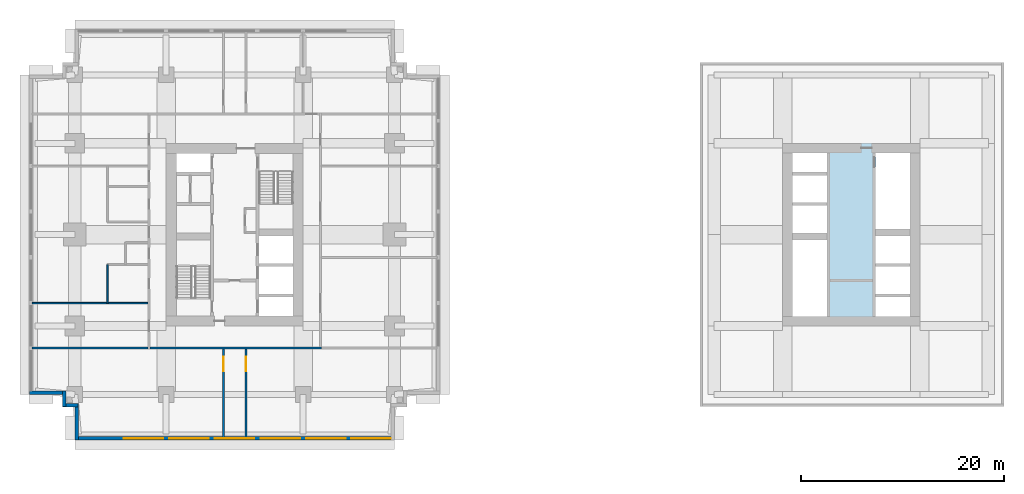
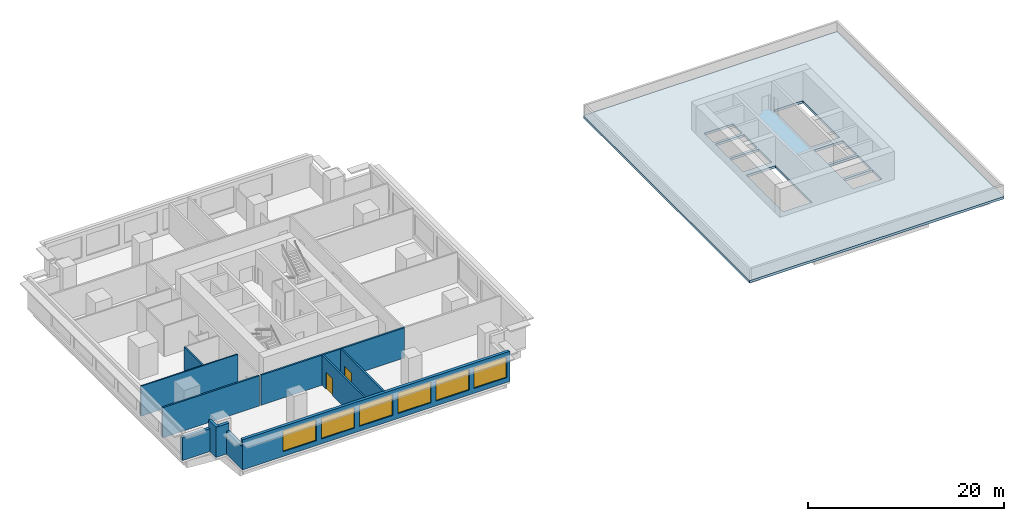
# One storey, part 2 of 7: 11 walls, 6 windows, 2 doors, 1 slab, 8 openings.
"""IFC4 building model written with IfcOpenShell, lengths in metres."""

from ifc_helpers import new_model, si_unit, direction, frame, frame_2d, origin, place, context, subcontext, project, spatial, polyline, rectangle, outline, extrude, material, layer, layer_set, type_object, element, fill, save


model = new_model("IFC4")

# Units and contexts
model_context = context("Model", 3, precision=1e-05, world=origin(), true_north=direction((0.0, 1.0)))
body_context = subcontext(model_context, "Body", "Model", "MODEL_VIEW")
ifc_project = project(units=[si_unit("LENGTHUNIT", "METRE"), si_unit("AREAUNIT", "SQUARE_METRE"), si_unit("VOLUMEUNIT", "CUBIC_METRE"), si_unit("PLANEANGLEUNIT", "RADIAN"), si_unit("MASSUNIT", "GRAM", prefix="KILO")], contexts=[model_context])

# Site, building, storey
site_placement = place(None, origin())
site = spatial("IfcSite", under=ifc_project, at=site_placement, CompositionType="ELEMENT")
building_placement = place(site_placement, origin())
building = spatial("IfcBuilding", under=site, at=building_placement, Name="Namib Vertical Campus", CompositionType="ELEMENT")
storey_placement = place(building_placement, frame((0.0, 0.0, 237.0)))
storey = spatial("IfcBuildingStorey", under=building, at=storey_placement, Name="L56", CompositionType="ELEMENT", Elevation=237.0)

# Slab
ifc_material_1 = material(Name="Concrete C40/50", Category="concrete")
ifc_layer_1 = layer(ifc_material_1, 0.300048828125)
ifc_layer_set_1 = layer_set([ifc_layer_1], Name="Concrete C40/50")
slab_type = type_object("IfcSlabType", Name="Roof slab 300", PredefinedType="ROOF", material=ifc_layer_set_1)
slab_placement = place(storey_placement, frame((0.0, 0.0, -0.300048828125)))
element("IfcSlab", 1, at=slab_placement, inside=storey, type_object=slab_type, Name="Roof slab B (maintenance access only)", PredefinedType="ROOF", context=body_context, shape_type="SweptSolid", body=[
    extrude(outline(polyline([(66.10009765625, 3.300048828125), (96.050048828125, 3.300048828125), (96.050048828125, 37.199951171875), (66.10009765625, 37.199951171875), (66.10009765625, 3.300048828125)]), holes=[polyline([(75.199951171875, 12.199951171875), (78.60009765625, 12.199951171875), (78.60009765625, 19.699951171875), (75.199951171875, 19.699951171875), (75.199951171875, 12.199951171875)]), polyline([(83.39990234375, 20.800048828125), (86.800048828125, 20.800048828125), (86.800048828125, 28.300048828125), (83.39990234375, 28.300048828125), (83.39990234375, 20.800048828125)]), polyline([(83.39990234375, 12.199951171875), (86.800048828125, 12.199951171875), (86.800048828125, 14.10009765625), (83.39990234375, 14.10009765625), (83.39990234375, 12.199951171875)]), polyline([(75.199951171875, 20.39990234375), (78.60009765625, 20.39990234375), (78.60009765625, 23.10009765625), (75.199951171875, 23.10009765625), (75.199951171875, 20.39990234375)]), polyline([(75.199951171875, 23.39990234375), (78.60009765625, 23.39990234375), (78.60009765625, 26.10009765625), (75.199951171875, 26.10009765625), (75.199951171875, 23.39990234375)]), polyline([(75.199951171875, 26.39990234375), (78.60009765625, 26.39990234375), (78.60009765625, 28.300048828125), (75.199951171875, 28.300048828125), (75.199951171875, 26.39990234375)]), polyline([(83.39990234375, 14.39990234375), (86.800048828125, 14.39990234375), (86.800048828125, 17.10009765625), (83.39990234375, 17.10009765625), (83.39990234375, 14.39990234375)]), polyline([(83.39990234375, 17.39990234375), (86.800048828125, 17.39990234375), (86.800048828125, 20.10009765625), (83.39990234375, 20.10009765625), (83.39990234375, 17.39990234375)])]), origin(), (0.0, 0.0, 1.0), 0.300048828125),
])

# Wall
ifc_material_2 = material(Name="Concrete masonry", Category="masonry")
ifc_layer_2 = layer(ifc_material_2, 0.199951171875)
ifc_layer_set_2 = layer_set([ifc_layer_2], Name="Corridor wall 200")
wall_type_1 = type_object("IfcWallType", Name="Corridor wall 200", PredefinedType="SOLIDWALL", material=ifc_layer_set_2)
wall_1_placement = place(storey_placement, frame((11.89990234375, 9.10009765625, 0.0), z_axis=(0.0, 0.0, 1.0), x_axis=(1.0, 0.0, 0.0)))
element("IfcWall", 2, at=wall_1_placement, inside=storey, type_object=wall_type_1, Name="Corridor wall A L56 CS", PredefinedType="SOLIDWALL", context=body_context, shape_type="SweptSolid", body=[
    extrude(rectangle(XDim=16.900146484375, YDim=0.199951171875, at=frame_2d((8.4501953125, 0.0))), origin(), (0.0, 0.0, 1.0), 3.75),
])

# Wall, opening, door
wall_2_placement = place(storey_placement, frame((19.14990234375, 0.300048828125, 0.0), z_axis=(0.0, 0.0, 1.0), x_axis=(0.0, 1.0, 0.0)))
wall_2 = element("IfcWall", 3, at=wall_2_placement, inside=storey, type_object=wall_type_1, Name="Corridor wall A L56 SPS1", PredefinedType="SOLIDWALL", context=body_context, shape_type="SweptSolid", body=[
    extrude(rectangle(XDim=8.699951171875, YDim=0.199951171875, at=frame_2d((4.35009765625, 0.0))), origin(), (0.0, 0.0, 1.0), 3.75),
])
opening_1_placement = place(wall_2_placement, frame((6.5, 0.0, 0.0)))
opening_1 = element("IfcOpeningElement", 4, at=opening_1_placement, cuts=wall_2, Name="Opening LB1", PredefinedType="OPENING", context=body_context, shape_type="SweptSolid", body=[
    extrude(rectangle(XDim=1.39990234375, YDim=2.10009765625, at=frame_2d((0.699951171875, 1.050048828125))), frame((0.0, 0.10986328125, 0.0), z_axis=(0.0, -1.0, 0.0), x_axis=(1.0, 0.0, 0.0)), (0.0, 0.0, 1.0), 0.219970703125),
])
ifc_material_3 = material(Name="Timber fire door leaf", Category="wood")
door_type = type_object("IfcDoorType", Name="Laboratory door 1400x2100 leaf and a half", OperationType="DOUBLE_DOOR_SINGLE_SWING", PredefinedType="DOOR", material=ifc_material_3)
door_1_placement = place(opening_1_placement, origin())
door_1 = element("IfcDoor", 5, at=door_1_placement, inside=storey, type_object=door_type, Name="Door LB1 A56-01", OperationType="DOUBLE_DOOR_SINGLE_SWING", OverallHeight=2.10009765625, OverallWidth=1.39990234375, PredefinedType="DOOR", context=body_context, shape_type="SweptSolid", body=[
    extrude(rectangle(XDim=1.39990234375, YDim=2.10009765625, at=frame_2d((0.699951171875, 1.050048828125))), frame((0.0, 0.02490234375, 0.0), z_axis=(0.0, -1.0, 0.0), x_axis=(1.0, 0.0, 0.0)), (0.0, 0.0, 1.0), 0.050048828125),
])
fill(opening_1, door_1)

wall_3_placement = place(storey_placement, frame((21.35009765625, 9.0, 0.0), z_axis=(0.0, 0.0, 1.0), x_axis=(0.0, -1.0, 0.0)))
wall_3 = element("IfcWall", 6, at=wall_3_placement, inside=storey, type_object=wall_type_1, Name="Corridor wall A L56 SPS2", PredefinedType="SOLIDWALL", context=body_context, shape_type="SweptSolid", body=[
    extrude(rectangle(XDim=8.699951171875, YDim=0.199951171875, at=frame_2d((4.35009765625, 0.0))), origin(), (0.0, 0.0, 1.0), 3.75),
])
opening_2_placement = place(wall_3_placement, frame((0.800048828125, 0.0, 0.0)))
opening_2 = element("IfcOpeningElement", 7, at=opening_2_placement, cuts=wall_3, Name="Opening LB1", PredefinedType="OPENING", context=body_context, shape_type="SweptSolid", body=[
    extrude(rectangle(XDim=1.39990234375, YDim=2.10009765625, at=frame_2d((0.699951171875, 1.050048828125))), frame((0.0, 0.10986328125, 0.0), z_axis=(0.0, -1.0, 0.0), x_axis=(1.0, 0.0, 0.0)), (0.0, 0.0, 1.0), 0.219970703125),
])
door_2_placement = place(opening_2_placement, origin())
door_2 = element("IfcDoor", 8, at=door_2_placement, inside=storey, type_object=door_type, Name="Door LB1 A56-02", OperationType="DOUBLE_DOOR_SINGLE_SWING", OverallHeight=2.10009765625, OverallWidth=1.39990234375, PredefinedType="DOOR", context=body_context, shape_type="SweptSolid", body=[
    extrude(rectangle(XDim=1.39990234375, YDim=2.10009765625, at=frame_2d((0.699951171875, 1.050048828125))), frame((0.0, 0.02490234375, 0.0), z_axis=(0.0, -1.0, 0.0), x_axis=(1.0, 0.0, 0.0)), (0.0, 0.0, 1.0), 0.050048828125),
])
fill(opening_2, door_2)

# Wall
wall_4_placement = place(storey_placement, frame((0.300048828125, 9.10009765625, 0.0), z_axis=(0.0, 0.0, 1.0), x_axis=(1.0, 0.0, 0.0)))
element("IfcWall", 9, at=wall_4_placement, inside=storey, type_object=wall_type_1, Name="Partition A L56 BSW", PredefinedType="SOLIDWALL", context=body_context, shape_type="SweptSolid", body=[
    extrude(rectangle(XDim=11.39990234375, YDim=0.199951171875, at=frame_2d((5.699951171875, 0.0))), origin(), (0.0, 0.0, 1.0), 3.75),
])

# Wall, openings, windows
ifc_material_4 = material(Name="Concrete C40/50", Category="concrete")
ifc_layer_3 = layer(ifc_material_4, 0.35009765625)
ifc_layer_set_3 = layer_set([ifc_layer_3], Name="Concrete C40/50")
wall_type_2 = type_object("IfcWallType", Name="External wall 350 bush-hammered concrete", PredefinedType="STANDARD", material=ifc_layer_set_3)
wall_5_placement = place(storey_placement, frame((4.52001953125, 0.175048828125, 0.0), z_axis=(0.0, 0.0, 1.0), x_axis=(1.0, 0.0, 0.0)))
wall_5 = element("IfcWall", 10, at=wall_5_placement, inside=storey, type_object=wall_type_2, Name="External wall L56 F01", PredefinedType="STANDARD", context=body_context, shape_type="SweptSolid", body=[
    extrude(rectangle(XDim=31.4599609375, YDim=0.35009765625, at=frame_2d((15.72998046875, 0.0))), origin(), (0.0, 0.0, 1.0), 3.75),
])
opening_3_placement = place(wall_5_placement, frame((4.780029296875, 0.0, 0.60009765625)))
opening_3 = element("IfcOpeningElement", 11, at=opening_3_placement, cuts=wall_5, Name="Opening W2", PredefinedType="OPENING", context=body_context, shape_type="SweptSolid", body=[
    extrude(rectangle(XDim=3.89990234375, YDim=2.60009765625, at=frame_2d((1.949951171875, 1.300048828125))), frame((0.0, 0.18505859375, 0.0), z_axis=(0.0, -1.0, 0.0), x_axis=(1.0, 0.0, 0.0)), (0.0, 0.0, 1.0), 0.3701171875),
])
opening_4_placement = place(wall_5_placement, frame((9.280029296875, 0.0, 0.60009765625)))
opening_4 = element("IfcOpeningElement", 12, at=opening_4_placement, cuts=wall_5, Name="Opening W2", PredefinedType="OPENING", context=body_context, shape_type="SweptSolid", body=[
    extrude(rectangle(XDim=3.89990234375, YDim=2.60009765625, at=frame_2d((1.949951171875, 1.300048828125))), frame((0.0, 0.18505859375, 0.0), z_axis=(0.0, -1.0, 0.0), x_axis=(1.0, 0.0, 0.0)), (0.0, 0.0, 1.0), 0.3701171875),
])
opening_5_placement = place(wall_5_placement, frame((13.780029296875, 0.0, 0.60009765625)))
opening_5 = element("IfcOpeningElement", 13, at=opening_5_placement, cuts=wall_5, Name="Opening W2", PredefinedType="OPENING", context=body_context, shape_type="SweptSolid", body=[
    extrude(rectangle(XDim=3.89990234375, YDim=2.60009765625, at=frame_2d((1.949951171875, 1.300048828125))), frame((0.0, 0.18505859375, 0.0), z_axis=(0.0, -1.0, 0.0), x_axis=(1.0, 0.0, 0.0)), (0.0, 0.0, 1.0), 0.3701171875),
])
opening_6_placement = place(wall_5_placement, frame((18.280029296875, 0.0, 0.60009765625)))
opening_6 = element("IfcOpeningElement", 14, at=opening_6_placement, cuts=wall_5, Name="Opening W2", PredefinedType="OPENING", context=body_context, shape_type="SweptSolid", body=[
    extrude(rectangle(XDim=3.89990234375, YDim=2.60009765625, at=frame_2d((1.949951171875, 1.300048828125))), frame((0.0, 0.18505859375, 0.0), z_axis=(0.0, -1.0, 0.0), x_axis=(1.0, 0.0, 0.0)), (0.0, 0.0, 1.0), 0.3701171875),
])
opening_7_placement = place(wall_5_placement, frame((22.780029296875, 0.0, 0.60009765625)))
opening_7 = element("IfcOpeningElement", 15, at=opening_7_placement, cuts=wall_5, Name="Opening W2", PredefinedType="OPENING", context=body_context, shape_type="SweptSolid", body=[
    extrude(rectangle(XDim=3.89990234375, YDim=2.60009765625, at=frame_2d((1.949951171875, 1.300048828125))), frame((0.0, 0.18505859375, 0.0), z_axis=(0.0, -1.0, 0.0), x_axis=(1.0, 0.0, 0.0)), (0.0, 0.0, 1.0), 0.3701171875),
])
opening_8_placement = place(wall_5_placement, frame((27.2099609375, 0.0, 0.60009765625)))
opening_8 = element("IfcOpeningElement", 16, at=opening_8_placement, cuts=wall_5, Name="Opening W2", PredefinedType="OPENING", context=body_context, shape_type="SweptSolid", body=[
    extrude(rectangle(XDim=3.89990234375, YDim=2.60009765625, at=frame_2d((1.949951171875, 1.300048828125))), frame((0.0, 0.18505859375, 0.0), z_axis=(0.0, -1.0, 0.0), x_axis=(1.0, 0.0, 0.0)), (0.0, 0.0, 1.0), 0.3701171875),
])
ifc_material_5 = material(Name="Dark tinted glass in black aluminium frame", Category="aluminium")
window_type = type_object("IfcWindowType", Name="Ribbon window 3900x2600", PartitioningType="SINGLE_PANEL", PredefinedType="WINDOW", material=ifc_material_5)
window_1_placement = place(opening_3_placement, origin())
window_1 = element("IfcWindow", 17, at=window_1_placement, inside=storey, type_object=window_type, Name="Window W2 L56 F01-2", OverallHeight=2.60009765625, OverallWidth=3.89990234375, PartitioningType="SINGLE_PANEL", PredefinedType="WINDOW", context=body_context, shape_type="SweptSolid", body=[
    extrude(rectangle(XDim=3.89990234375, YDim=2.60009765625, at=frame_2d((1.949951171875, 1.300048828125))), frame((0.0, 0.030029296875, 0.0), z_axis=(0.0, -1.0, 0.0), x_axis=(1.0, 0.0, 0.0)), (0.0, 0.0, 1.0), 0.06005859375),
])
fill(opening_3, window_1)
window_2_placement = place(opening_4_placement, origin())
window_2 = element("IfcWindow", 18, at=window_2_placement, inside=storey, type_object=window_type, Name="Window W2 L56 F01-3", OverallHeight=2.60009765625, OverallWidth=3.89990234375, PartitioningType="SINGLE_PANEL", PredefinedType="WINDOW", context=body_context, shape_type="SweptSolid", body=[
    extrude(rectangle(XDim=3.89990234375, YDim=2.60009765625, at=frame_2d((1.949951171875, 1.300048828125))), frame((0.0, 0.030029296875, 0.0), z_axis=(0.0, -1.0, 0.0), x_axis=(1.0, 0.0, 0.0)), (0.0, 0.0, 1.0), 0.06005859375),
])
fill(opening_4, window_2)
window_3_placement = place(opening_5_placement, origin())
window_3 = element("IfcWindow", 19, at=window_3_placement, inside=storey, type_object=window_type, Name="Window W2 L56 F01-4", OverallHeight=2.60009765625, OverallWidth=3.89990234375, PartitioningType="SINGLE_PANEL", PredefinedType="WINDOW", context=body_context, shape_type="SweptSolid", body=[
    extrude(rectangle(XDim=3.89990234375, YDim=2.60009765625, at=frame_2d((1.949951171875, 1.300048828125))), frame((0.0, 0.030029296875, 0.0), z_axis=(0.0, -1.0, 0.0), x_axis=(1.0, 0.0, 0.0)), (0.0, 0.0, 1.0), 0.06005859375),
])
fill(opening_5, window_3)
window_4_placement = place(opening_6_placement, origin())
window_4 = element("IfcWindow", 20, at=window_4_placement, inside=storey, type_object=window_type, Name="Window W2 L56 F01-5", OverallHeight=2.60009765625, OverallWidth=3.89990234375, PartitioningType="SINGLE_PANEL", PredefinedType="WINDOW", context=body_context, shape_type="SweptSolid", body=[
    extrude(rectangle(XDim=3.89990234375, YDim=2.60009765625, at=frame_2d((1.949951171875, 1.300048828125))), frame((0.0, 0.030029296875, 0.0), z_axis=(0.0, -1.0, 0.0), x_axis=(1.0, 0.0, 0.0)), (0.0, 0.0, 1.0), 0.06005859375),
])
fill(opening_6, window_4)
window_5_placement = place(opening_7_placement, origin())
window_5 = element("IfcWindow", 21, at=window_5_placement, inside=storey, type_object=window_type, Name="Window W2 L56 F01-6", OverallHeight=2.60009765625, OverallWidth=3.89990234375, PartitioningType="SINGLE_PANEL", PredefinedType="WINDOW", context=body_context, shape_type="SweptSolid", body=[
    extrude(rectangle(XDim=3.89990234375, YDim=2.60009765625, at=frame_2d((1.949951171875, 1.300048828125))), frame((0.0, 0.030029296875, 0.0), z_axis=(0.0, -1.0, 0.0), x_axis=(1.0, 0.0, 0.0)), (0.0, 0.0, 1.0), 0.06005859375),
])
fill(opening_7, window_5)
window_6_placement = place(opening_8_placement, origin())
window_6 = element("IfcWindow", 22, at=window_6_placement, inside=storey, type_object=window_type, Name="Window W2 L56 F01-7", OverallHeight=2.60009765625, OverallWidth=3.89990234375, PartitioningType="SINGLE_PANEL", PredefinedType="WINDOW", context=body_context, shape_type="SweptSolid", body=[
    extrude(rectangle(XDim=3.89990234375, YDim=2.60009765625, at=frame_2d((1.949951171875, 1.300048828125))), frame((0.0, 0.030029296875, 0.0), z_axis=(0.0, -1.0, 0.0), x_axis=(1.0, 0.0, 0.0)), (0.0, 0.0, 1.0), 0.06005859375),
])
fill(opening_8, window_6)

# Walls
wall_6_placement = place(storey_placement, frame((0.02001953125, 4.675048828125, 0.0), z_axis=(0.0, 0.0, 1.0), x_axis=(1.0, 0.0, 0.0)))
element("IfcWall", 23, at=wall_6_placement, inside=storey, type_object=wall_type_2, Name="External wall L56 F17", PredefinedType="STANDARD", context=body_context, shape_type="SweptSolid", body=[
    extrude(rectangle(XDim=3.5849609375, YDim=0.35009765625, at=frame_2d((1.79248046875, 0.0))), origin(), (0.0, 0.0, 1.0), 2.85009765625),
])
for number, where, z_axis, x_axis, name in (
    (24, (3.449951171875, 4.830078125, 0.0), (0.0, 0.0, 1.0), (0.0, -1.0, 0.0), "External wall L56 F18"),
    (25, (3.294921875, 3.449951171875, 0.0), (0.0, 0.0, 1.0), (1.0, 0.0, 0.0), "External wall L56 F19"),
):
    element("IfcWall", number, at=place(storey_placement, frame(where, z_axis=z_axis, x_axis=x_axis)), inside=storey, type_object=wall_type_2, Name=name, PredefinedType="STANDARD", context=body_context, shape_type="SweptSolid", body=[
        extrude(rectangle(XDim=1.53515625, YDim=0.35009765625, at=frame_2d((0.767578125, 0.0))), origin(), (0.0, 0.0, 1.0), 3.75),
    ])
wall_7_placement = place(storey_placement, frame((4.675048828125, 3.60498046875, 0.0), z_axis=(0.0, 0.0, 1.0), x_axis=(0.0, -1.0, 0.0)))
element("IfcWall", 26, at=wall_7_placement, inside=storey, type_object=wall_type_2, Name="External wall L56 F20", PredefinedType="STANDARD", context=body_context, shape_type="SweptSolid", body=[
    extrude(rectangle(XDim=3.5849609375, YDim=0.35009765625, at=frame_2d((1.79248046875, 0.0))), origin(), (0.0, 0.0, 1.0), 2.85009765625),
])
ifc_material_6 = material(Name="Gypsum board on steel studs", Category="steel")
ifc_layer_4 = layer(ifc_material_6, 0.14990234375)
ifc_layer_set_4 = layer_set([ifc_layer_4], Name="Gypsum board on steel studs")
wall_type_3 = type_object("IfcWallType", Name="Partition 150", PredefinedType="PARTITIONING", material=ifc_layer_set_4)
wall_8_placement = place(storey_placement, frame((0.300048828125, 13.5, 0.0), z_axis=(0.0, 0.0, 1.0), x_axis=(1.0, 0.0, 0.0)))
element("IfcWall", 27, at=wall_8_placement, inside=storey, type_object=wall_type_3, Name="Partition A L56 PW1", PredefinedType="PARTITIONING", context=body_context, shape_type="SweptSolid", body=[
    extrude(rectangle(XDim=11.39990234375, YDim=0.14990234375, at=frame_2d((5.699951171875, 0.0))), origin(), (0.0, 0.0, 1.0), 3.75),
])
wall_9_placement = place(storey_placement, frame((7.699951171875, 13.5, 0.0), z_axis=(0.0, 0.0, 1.0), x_axis=(0.0, 1.0, 0.0)))
element("IfcWall", 28, at=wall_9_placement, inside=storey, type_object=wall_type_3, Name="Partition A L56 WB1", PredefinedType="PARTITIONING", context=body_context, shape_type="SweptSolid", body=[
    extrude(rectangle(XDim=3.800048828125, YDim=0.14990234375, at=frame_2d((1.89990234375, 0.0))), origin(), (0.0, 0.0, 1.0), 3.75),
])

save(model, "model.ifc")
